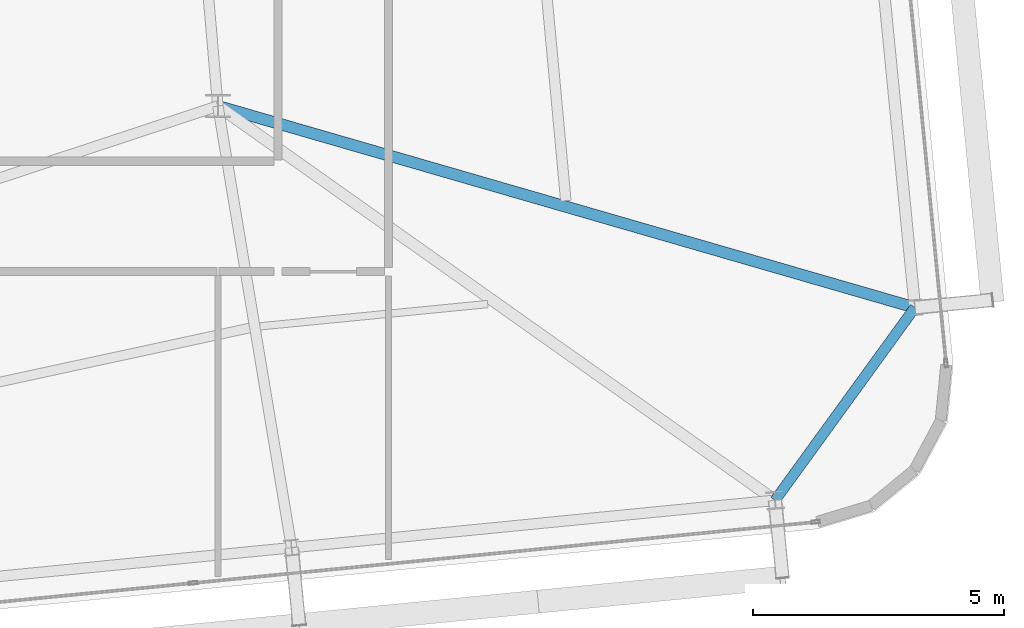
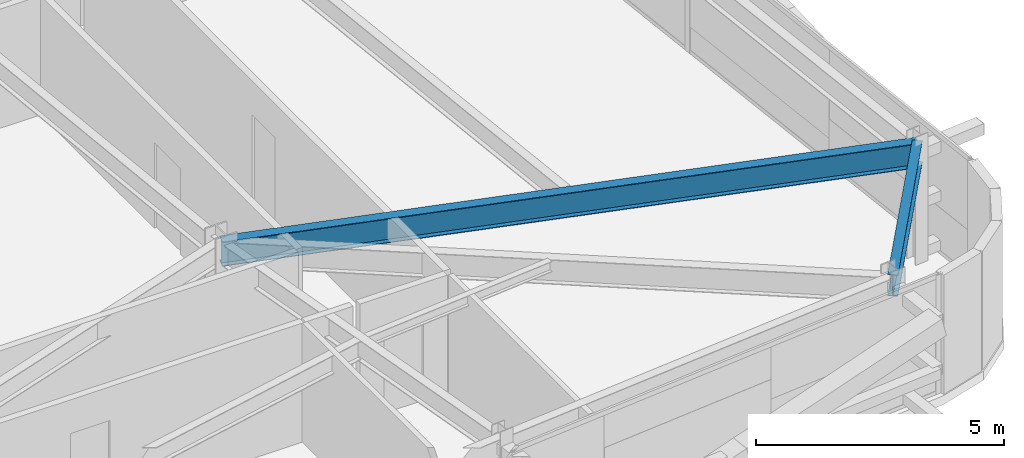
# One storey, part 18 of 47: 2 beams.
"""IFC4 building model written with IfcOpenShell, lengths in metres."""

from ifc_helpers import new_model, si_unit, direction, frame, origin, origin_2d, place, context, subcontext, project, spatial, i_section, extrude, source, transform, mapped, material, material_profile, profile_set, type_object, element, save


model = new_model("IFC4")

# Units and contexts
model_context = context("Model", 3, precision=1e-05, world=origin(), true_north=direction((0.0, 1.0)))
body_context = subcontext(model_context, "Body", "Model", "MODEL_VIEW")
ifc_project = project(units=[si_unit("LENGTHUNIT", "METRE"), si_unit("AREAUNIT", "SQUARE_METRE"), si_unit("VOLUMEUNIT", "CUBIC_METRE"), si_unit("PLANEANGLEUNIT", "RADIAN"), si_unit("MASSUNIT", "GRAM", prefix="KILO")], contexts=[model_context])

# Site, building, storey
site_placement = place(None, origin())
site = spatial("IfcSite", under=ifc_project, at=site_placement, CompositionType="ELEMENT")
building_placement = place(site_placement, origin())
building = spatial("IfcBuilding", under=site, at=building_placement, Name="Taldren Reach Tower", CompositionType="ELEMENT")
storey_placement = place(building_placement, frame((0.0, 0.0, 106.050048828125)))
storey = spatial("IfcBuildingStorey", under=building, at=storey_placement, Name="L32", CompositionType="ELEMENT", Elevation=106.050048828125)

# Beams
ifc_material = material(Name="Steel Gr 350 (350PLUS)", Category="steel")
ifc_material_profile_1 = material_profile(ifc_material, i_section(OverallWidth=0.208984375, OverallDepth=0.528076171875, WebThickness=0.009521484375, FlangeThickness=0.01318359375, at=origin_2d()), Name="530UB82.0")
ifc_profile_set_1 = profile_set([ifc_material_profile_1], Name="Steel Gr 350 (350PLUS)")
beam_type_1 = type_object("IfcBeamType", Name="SP-UB530B", PredefinedType="SPANDREL", material=ifc_profile_set_1)
shared_shape_1 = source(origin(), body_context, "Body", "SweptSolid", [
    extrude(i_section(OverallWidth=0.208984375, OverallDepth=0.528076171875, WebThickness=0.009521484375, FlangeThickness=0.01318359375, at=origin_2d()), origin(), (0.0, 0.0, 1.0), 4.74609375),
])
beam_1_placement = place(storey_placement, frame((63.103271484375, 4.64306640625, 2.666015625), z_axis=(0.58750777154, 0.809218523255, 0.0), x_axis=(-0.809218523255, 0.58750777154, 0.0)))
element("IfcBeam", 1, at=beam_1_placement, inside=storey, type_object=beam_type_1, Name="Perimeter spandrel B2 S6-E1 L32", PredefinedType="SPANDREL", context=body_context, shape_type="MappedRepresentation", body=[
    mapped(shared_shape_1, transform((0.0, 0.0, 0.0), scale=1.0)),
])
ifc_material_profile_2 = material_profile(ifc_material, i_section(OverallWidth=0.22802734375, OverallDepth=0.60205078125, WebThickness=0.010498046875, FlangeThickness=0.014892578125, at=origin_2d()), Name="610UB101")
ifc_profile_set_2 = profile_set([ifc_material_profile_2], Name="Steel Gr 350 (350PLUS)")
beam_type_2 = type_object("IfcBeamType", Name="BM-UB610B", PredefinedType="BEAM", material=ifc_profile_set_2)
shared_shape_2 = source(origin(), body_context, "Body", "SweptSolid", [
    extrude(i_section(OverallWidth=0.22802734375, OverallDepth=0.60205078125, WebThickness=0.010498046875, FlangeThickness=0.014892578125, at=origin_2d()), origin(), (0.0, 0.0, 1.0), 14.46044921875),
])
beam_2_placement = place(storey_placement, frame((52.0, 12.5, 2.62890625), z_axis=(0.960654638583, -0.277745684698, 0.0), x_axis=(0.277745684698, 0.960654638583, 0.0)))
element("IfcBeam", 2, at=beam_2_placement, inside=storey, type_object=beam_type_2, Name="Primary floor girder B2-E1 L32", PredefinedType="BEAM", context=body_context, shape_type="MappedRepresentation", body=[
    mapped(shared_shape_2, transform((0.0, 0.0, 0.0), scale=1.0)),
])

save(model, "model.ifc")
